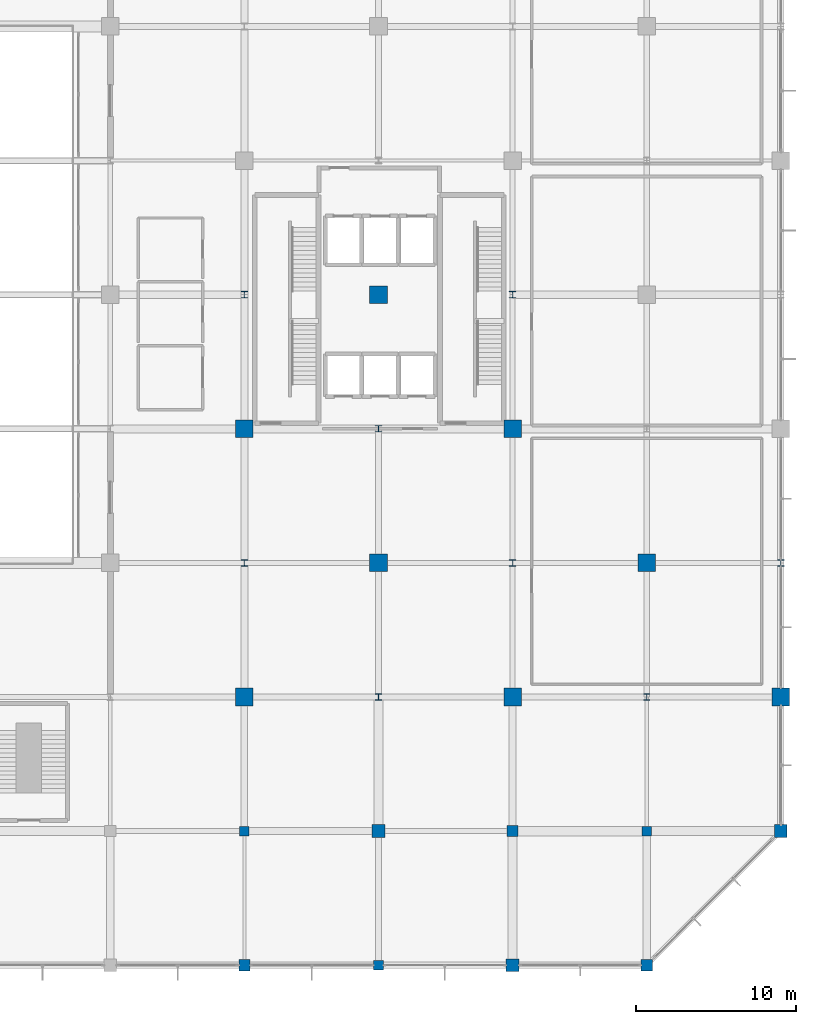
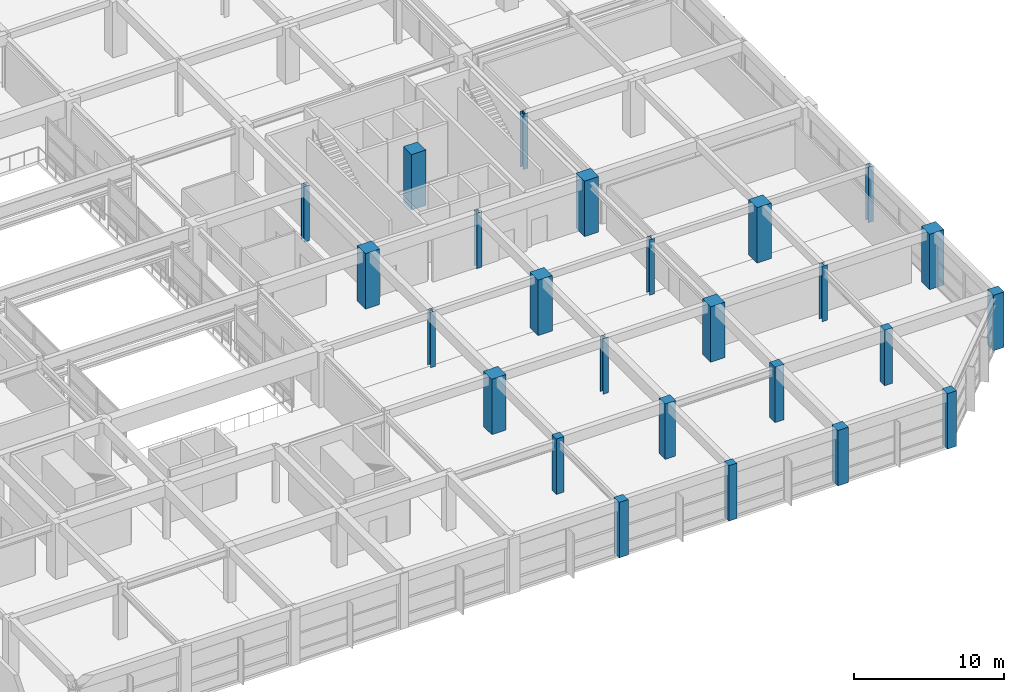
# One storey, part 7 of 62: 25 columns.
"""IFC4 building model written with IfcOpenShell, lengths in metres."""

from ifc_helpers import new_model, si_unit, direction, frame, origin, origin_2d, place, context, subcontext, project, spatial, rectangle, i_section, extrude, material, material_profile, profile_set, type_object, element, save


model = new_model("IFC4")

# Units and contexts
model_context = context("Model", 3, precision=1e-05, world=origin(), true_north=direction((0.0, 1.0)))
body_context = subcontext(model_context, "Body", "Model", "MODEL_VIEW")
ifc_project = project(units=[si_unit("LENGTHUNIT", "METRE"), si_unit("AREAUNIT", "SQUARE_METRE"), si_unit("VOLUMEUNIT", "CUBIC_METRE"), si_unit("PLANEANGLEUNIT", "RADIAN"), si_unit("MASSUNIT", "GRAM", prefix="KILO")], contexts=[model_context])

# Site, building, storey
site_placement = place(None, origin())
site = spatial("IfcSite", under=ifc_project, at=site_placement, CompositionType="ELEMENT")
building_placement = place(site_placement, origin())
building = spatial("IfcBuilding", under=site, at=building_placement, Name="Xuanlan Plaza Opera House", CompositionType="ELEMENT")
storey_placement = place(building_placement, frame((0.0, 0.0, 14.39990234375)))
storey = spatial("IfcBuildingStorey", under=building, at=storey_placement, Name="L03", CompositionType="ELEMENT", Elevation=14.39990234375)

# Columns
ifc_material_1 = material(Name="Concrete C50", Category="concrete")
ifc_material_profile_1 = material_profile(ifc_material_1, rectangle(XDim=1.10009765625, YDim=1.10009765625, at=origin_2d()), Name="RC-COL 1100x1100")
ifc_profile_set_1 = profile_set([ifc_material_profile_1], Name="Concrete C50")
column_type_1 = type_object("IfcColumnType", Name="STR-COL-C-03", PredefinedType="COLUMN", material=ifc_profile_set_1)
for number, where, z_axis, x_axis, name in (
    (1, (134.39990234375, 33.60009765625, 0.0), (0.0, 0.0, 1.0), (1.0, 0.0, 0.0), "Column L03 17-E"),
    (2, (134.39990234375, 50.39990234375, 0.0), (0.0, 0.0, 1.0), (1.0, 0.0, 0.0), "Column L03 17-G"),
    (3, (142.800048828125, 42.0, 0.0), (0.0, 0.0, 1.0), (1.0, 0.0, 0.0), "Column L03 18-F"),
    (4, (142.800048828125, 58.800048828125, 0.0), (0.0, 0.0, 1.0), (1.0, 0.0, 0.0), "Column L03 18-H"),
    (5, (151.199951171875, 33.60009765625, 0.0), (0.0, 0.0, 1.0), (1.0, 0.0, 0.0), "Column L03 19-E"),
    (6, (151.199951171875, 50.39990234375, 0.0), (0.0, 0.0, 1.0), (1.0, 0.0, 0.0), "Column L03 19-G"),
    (7, (159.60009765625, 42.0, 0.0), (0.0, 0.0, 1.0), (1.0, 0.0, 0.0), "Column L03 20-F"),
    (8, (168.0, 33.60009765625, 0.0), (0.0, 0.0, 1.0), (1.0, 0.0, 0.0), "Column L03 21-E"),
):
    element("IfcColumn", number, at=place(storey_placement, frame(where, z_axis=z_axis, x_axis=x_axis)), inside=storey, type_object=column_type_1, Name=name, PredefinedType="COLUMN", context=body_context, shape_type="SweptSolid", body=[
        extrude(rectangle(XDim=1.10009765625, YDim=1.10009765625, at=origin_2d()), origin(), (0.0, 0.0, 1.0), 4.5),
    ])
ifc_material_2 = material(Name="Concrete C40", Category="concrete")
ifc_material_profile_2 = material_profile(ifc_material_2, rectangle(XDim=0.800048828125, YDim=0.800048828125, at=origin_2d()), Name="RC-COL 800x800")
ifc_profile_set_2 = profile_set([ifc_material_profile_2], Name="Concrete C40")
column_type_2 = type_object("IfcColumnType", Name="STR-COL-C-06", PredefinedType="COLUMN", material=ifc_profile_set_2)
for number, where, z_axis, x_axis, name in (
    (9, (142.800048828125, 25.199951171875, 0.0), (0.0, 0.0, 1.0), (1.0, 0.0, 0.0), "Column L03 18-D"),
    (10, (151.199951171875, 16.800048828125, 0.0), (0.0, 0.0, 1.0), (1.0, 0.0, 0.0), "Column L03 19-C"),
    (11, (168.0, 25.199951171875, 0.0), (0.0, 0.0, 1.0), (1.0, 0.0, 0.0), "Column L03 21-D"),
):
    element("IfcColumn", number, at=place(storey_placement, frame(where, z_axis=z_axis, x_axis=x_axis)), inside=storey, type_object=column_type_2, Name=name, PredefinedType="COLUMN", context=body_context, shape_type="SweptSolid", body=[
        extrude(rectangle(XDim=0.800048828125, YDim=0.800048828125, at=origin_2d()), origin(), (0.0, 0.0, 1.0), 4.5),
    ])
ifc_material_profile_3 = material_profile(ifc_material_2, rectangle(XDim=0.699951171875, YDim=0.699951171875, at=origin_2d()), Name="RC-COL 700x700")
ifc_profile_set_3 = profile_set([ifc_material_profile_3], Name="Concrete C40")
column_type_3 = type_object("IfcColumnType", Name="STR-COL-C-07", PredefinedType="COLUMN", material=ifc_profile_set_3)
for number, where, z_axis, x_axis, name in (
    (12, (134.39990234375, 16.800048828125, 0.0), (0.0, 0.0, 1.0), (1.0, 0.0, 0.0), "Column L03 17-C"),
    (13, (151.199951171875, 25.199951171875, 0.0), (0.0, 0.0, 1.0), (1.0, 0.0, 0.0), "Column L03 19-D"),
    (14, (159.60009765625, 16.800048828125, 0.0), (0.0, 0.0, 1.0), (1.0, 0.0, 0.0), "Column L03 20-C"),
):
    element("IfcColumn", number, at=place(storey_placement, frame(where, z_axis=z_axis, x_axis=x_axis)), inside=storey, type_object=column_type_3, Name=name, PredefinedType="COLUMN", context=body_context, shape_type="SweptSolid", body=[
        extrude(rectangle(XDim=0.699951171875, YDim=0.699951171875, at=origin_2d()), origin(), (0.0, 0.0, 1.0), 4.5),
    ])
ifc_material_profile_4 = material_profile(ifc_material_2, rectangle(XDim=0.60009765625, YDim=0.60009765625, at=origin_2d()), Name="RC-COL 600x600")
ifc_profile_set_4 = profile_set([ifc_material_profile_4], Name="Concrete C40")
column_type_4 = type_object("IfcColumnType", Name="STR-COL-C-08", PredefinedType="COLUMN", material=ifc_profile_set_4)
for number, where, z_axis, x_axis, name in (
    (15, (134.39990234375, 25.199951171875, 0.0), (0.0, 0.0, 1.0), (1.0, 0.0, 0.0), "Column L03 17-D"),
    (16, (142.800048828125, 16.800048828125, 0.0), (0.0, 0.0, 1.0), (1.0, 0.0, 0.0), "Column L03 18-C"),
    (17, (159.60009765625, 25.199951171875, 0.0), (0.0, 0.0, 1.0), (1.0, 0.0, 0.0), "Column L03 20-D"),
):
    element("IfcColumn", number, at=place(storey_placement, frame(where, z_axis=z_axis, x_axis=x_axis)), inside=storey, type_object=column_type_4, Name=name, PredefinedType="COLUMN", context=body_context, shape_type="SweptSolid", body=[
        extrude(rectangle(XDim=0.60009765625, YDim=0.60009765625, at=origin_2d()), origin(), (0.0, 0.0, 1.0), 4.5),
    ])
ifc_material_3 = material(Name="Steel Q355B", Category="steel")
ifc_material_profile_5 = material_profile(ifc_material_3, i_section(OverallWidth=0.39990234375, OverallDepth=0.39990234375, WebThickness=0.012939453125, FlangeThickness=0.02099609375, FilletRadius=0.02197265625, at=origin_2d()), Name="HW 400x400x13x21")
ifc_profile_set_5 = profile_set([ifc_material_profile_5], Name="Steel Q355B")
column_type_5 = type_object("IfcColumnType", Name="STR-COL-C-14", PredefinedType="COLUMN", material=ifc_profile_set_5)
for number, where, z_axis, x_axis, name in (
    (18, (134.39990234375, 42.0, 0.0), (0.0, 0.0, 1.0), (1.0, 0.0, 0.0), "Column L03 17-F"),
    (19, (134.39990234375, 58.800048828125, 0.0), (0.0, 0.0, 1.0), (1.0, 0.0, 0.0), "Column L03 17-H"),
    (20, (142.800048828125, 33.60009765625, 0.0), (0.0, 0.0, 1.0), (1.0, 0.0, 0.0), "Column L03 18-E"),
    (21, (142.800048828125, 50.39990234375, 0.0), (0.0, 0.0, 1.0), (1.0, 0.0, 0.0), "Column L03 18-G"),
    (22, (151.199951171875, 42.0, 0.0), (0.0, 0.0, 1.0), (1.0, 0.0, 0.0), "Column L03 19-F"),
    (23, (151.199951171875, 58.800048828125, 0.0), (0.0, 0.0, 1.0), (1.0, 0.0, 0.0), "Column L03 19-H"),
    (24, (159.60009765625, 33.60009765625, 0.0), (0.0, 0.0, 1.0), (1.0, 0.0, 0.0), "Column L03 20-E"),
    (25, (168.0, 42.0, 0.0), (0.0, 0.0, 1.0), (1.0, 0.0, 0.0), "Column L03 21-F"),
):
    element("IfcColumn", number, at=place(storey_placement, frame(where, z_axis=z_axis, x_axis=x_axis)), inside=storey, type_object=column_type_5, Name=name, PredefinedType="COLUMN", context=body_context, shape_type="SweptSolid", body=[
        extrude(i_section(OverallWidth=0.39990234375, OverallDepth=0.39990234375, WebThickness=0.012939453125, FlangeThickness=0.02099609375, FilletRadius=0.02197265625, at=origin_2d()), origin(), (0.0, 0.0, 1.0), 4.5),
    ])

save(model, "model.ifc")
